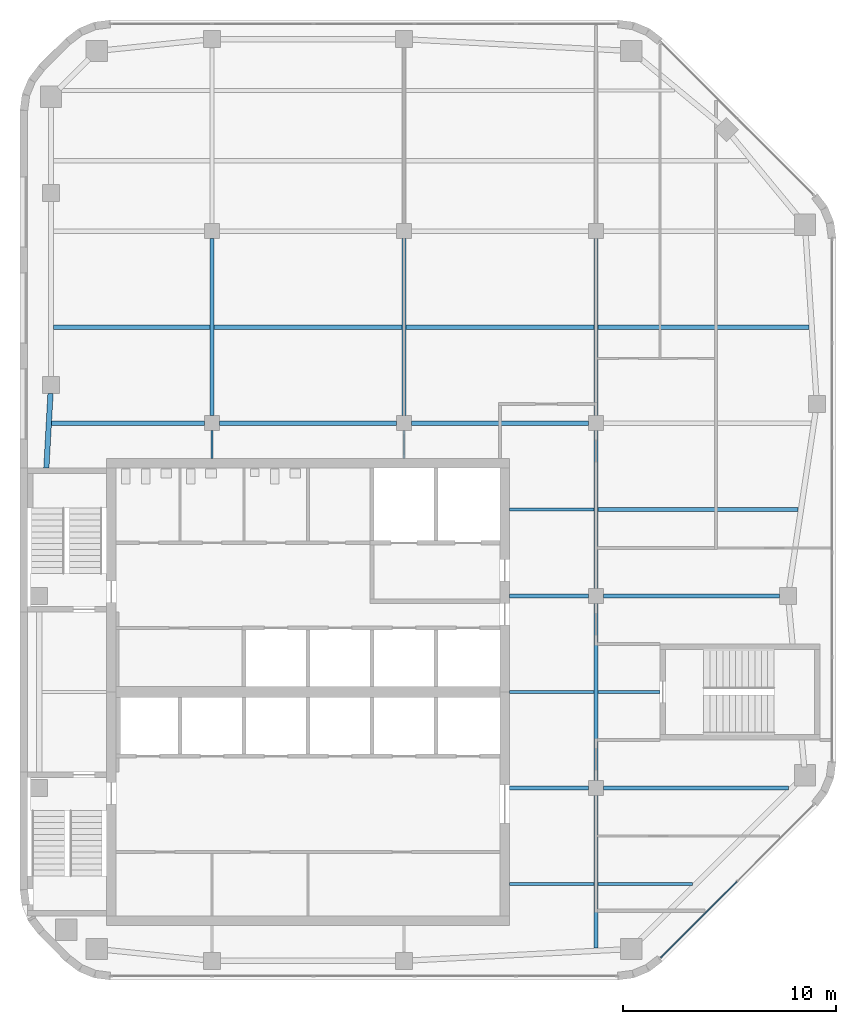
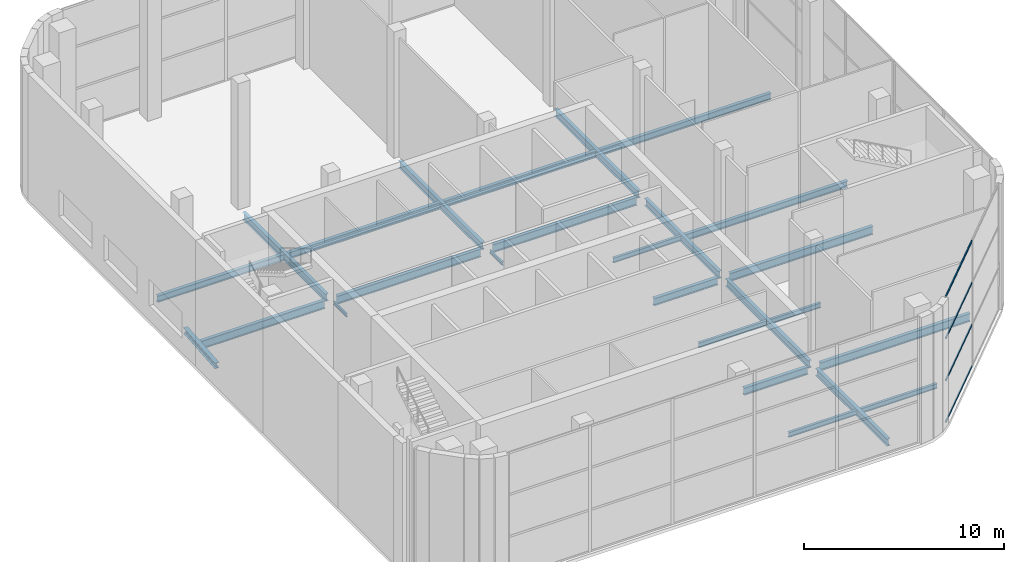
# One storey, part 3 of 12: 26 beams, 4 members, 1 element without a shape of its own.
"""IFC4 building model written with IfcOpenShell, lengths in metres."""

import ifcopenshell
import ifcopenshell.guid

model = None  # the IFC model being written
_history = None  # IfcOwnerHistory: only IFC2X3 demands one
_inside = {}  # id of a spatial element -> (the spatial element, [elements in it])
_under = {}  # id of a project, library or spatial element -> (it, [spatial elements below it])
_declared = {}  # id of a project -> (the project, [libraries it declares])
_typed = {}  # id of a type object -> (the type object, [elements of that type])
_made_of = {}  # id of a material, layer set ... -> (it, [elements and type objects made of it])


def new_model(schema):
    """Start an empty IFC model of exactly this schema.

    Asked for "IFC4X3", IfcOpenShell would pick the latest addendum, in which some entities
    have other attributes; the version numbers below select the first issue.
    IFC2X3 requires an IfcOwnerHistory on every rooted entity: one is made here for all.
    """
    global model, _history
    if schema == "IFC4X3":
        model = ifcopenshell.file(schema_version=(4, 3, 0, 0))
    else:
        model = ifcopenshell.file(schema=schema)
    _inside.clear()
    _under.clear()
    _declared.clear()
    _typed.clear()
    _made_of.clear()
    _history = None
    if model.schema == "IFC2X3":
        org = make("IfcOrganization", Name="unknown")
        user = make(
            "IfcPersonAndOrganization",
            ThePerson=make("IfcPerson", FamilyName="unknown"),
            TheOrganization=org,
        )
        app = make(
            "IfcApplication",
            ApplicationDeveloper=org,
            Version="unknown",
            ApplicationFullName="unknown",
            ApplicationIdentifier="unknown",
        )
        _history = make(
            "IfcOwnerHistory",
            OwningUser=user,
            OwningApplication=app,
            ChangeAction="ADDED",
            CreationDate=0,
        )
    return model


def make(cls, **values):
    """One entity of the class cls with the attributes given. An attribute that is None is left unset."""
    return model.create_entity(
        cls, **{name: value for name, value in values.items() if value is not None}
    )


def rooted(cls, **values):
    """An entity with a GlobalId (a new one), such as an element, a storey or a relation."""
    return make(cls, GlobalId=ifcopenshell.guid.new(), OwnerHistory=_history, **values)


def si_unit(unit_type, name, prefix=None):
    """IfcSIUnit, for example si_unit("LENGTHUNIT", "METRE", prefix="MILLI")."""
    return make("IfcSIUnit", UnitType=unit_type, Prefix=prefix, Name=name)


def assignment(units):
    """IfcUnitAssignment: the units of a project."""
    return None if units is None else make("IfcUnitAssignment", Units=units)


def point(xyz):
    """IfcCartesianPoint."""
    return None if xyz is None else make("IfcCartesianPoint", Coordinates=xyz)


def direction(xyz):
    """IfcDirection."""
    return None if xyz is None else make("IfcDirection", DirectionRatios=xyz)


def frame(location, z_axis=None, x_axis=None):
    """IfcAxis2Placement3D, a coordinate frame: its origin and axes. An axis left out is left unset."""
    return make(
        "IfcAxis2Placement3D",
        Location=point(location),
        Axis=direction(z_axis),
        RefDirection=direction(x_axis),
    )


def frame_2d(location, x_axis=None):
    """IfcAxis2Placement2D, a coordinate frame in the plane: its origin and x axis."""
    return make(
        "IfcAxis2Placement2D", Location=point(location), RefDirection=direction(x_axis)
    )


def origin():
    """The frame at (0, 0, 0) with its axes left unset."""
    return frame((0.0, 0.0, 0.0))


def origin_2d():
    """The frame at (0, 0) in the plane with its x axis left unset."""
    return frame_2d((0.0, 0.0))


def place(relative_to, where):
    """IfcLocalPlacement: puts the frame where relative to a parent placement (None: the world)."""
    return make(
        "IfcLocalPlacement", PlacementRelTo=relative_to, RelativePlacement=where
    )


def context(
    kind, dimensions, precision=None, world=None, true_north=None, identifier=None
):
    """IfcGeometricRepresentationContext, for example the 3D "Model" context."""
    return make(
        "IfcGeometricRepresentationContext",
        ContextIdentifier=identifier,
        ContextType=kind,
        CoordinateSpaceDimension=dimensions,
        Precision=precision,
        WorldCoordinateSystem=world,
        TrueNorth=true_north,
    )


def subcontext(parent, identifier, kind, view, scale=None):
    """IfcGeometricRepresentationSubContext, for example "Body" below "Model"."""
    return make(
        "IfcGeometricRepresentationSubContext",
        ContextIdentifier=identifier,
        ContextType=kind,
        ParentContext=parent,
        TargetScale=scale,
        TargetView=view,
    )


def project(units=None, contexts=None):
    """IfcProject with its units and contexts."""
    return rooted(
        "IfcProject",
        Name="project",
        RepresentationContexts=contexts,
        UnitsInContext=assignment(units),
    )


def spatial(cls, under=None, at=None, **own):
    """A site, building, storey or space (cls), placed at a placement, below another one or the project."""
    s = rooted(cls, ObjectPlacement=at, **own)
    if under is not None:
        _under.setdefault(under.id(), (under, []))[1].append(s)
    return s


def profile(cls, at=None, kind="AREA", **sizes):
    """A parametric profile (cls). Its sizes go by their IFC names, for example OverallWidth=200.0."""
    return make(cls, ProfileType=kind, Position=at, **sizes)


def rectangle(**sizes):
    """IfcRectangleProfileDef."""
    return profile("IfcRectangleProfileDef", **sizes)


def i_section(**sizes):
    """IfcIShapeProfileDef."""
    return profile("IfcIShapeProfileDef", **sizes)


def extrude(swept, where, along, depth):
    """IfcExtrudedAreaSolid: the profile swept, set in the frame where, extruded along a direction by depth."""
    return make(
        "IfcExtrudedAreaSolid",
        SweptArea=swept,
        Position=where,
        ExtrudedDirection=direction(along),
        Depth=depth,
    )


def shape(context_of_items, identifier, shape_type, items):
    """IfcShapeRepresentation: the items that make up one representation, for example the "Body"."""
    return make(
        "IfcShapeRepresentation",
        ContextOfItems=context_of_items,
        RepresentationIdentifier=identifier,
        RepresentationType=shape_type,
        Items=items,
    )


def material(Name=None, Category=None):
    """IfcMaterial."""
    return make("IfcMaterial", Name=Name, Category=Category)


def material_profile(
    of_material, cross_section, Name=None, Category=None, Priority=None
):
    """IfcMaterialProfile: a cross section and its material."""
    return make(
        "IfcMaterialProfile",
        Name=Name,
        Material=of_material,
        Profile=cross_section,
        Priority=Priority,
        Category=Category,
    )


def profile_set(profiles, Name=None, composite=None):
    """IfcMaterialProfileSet."""
    return make(
        "IfcMaterialProfileSet",
        Name=Name,
        MaterialProfiles=profiles,
        CompositeProfile=composite,
    )


def made_of(thing, what):
    """Note that an element or type object is made of a material, layer set ...; save() writes the relation."""
    if what is not None:
        _made_of.setdefault(what.id(), (what, []))[1].append(thing)
    return thing


def type_object(cls, material=None, **own):
    """A type object (cls), such as IfcWallType, which elements share."""
    return made_of(rooted(cls, **own), material)


def element(
    cls,
    number,
    at=None,
    inside=None,
    cuts=None,
    type_object=None,
    material=None,
    context=None,
    identifier="Body",
    shape_type=None,
    held_by="IfcProductDefinitionShape",
    body=None,
    shapes=None,
    **own,
):
    """One element of the class cls, such as IfcWall. Its Tag is "e" and its number.

    at: its placement. inside: the storey or other place that contains it. cuts: it is an
    opening in that element (IfcRelVoidsElement). A single representation is given by context,
    identifier, shape_type and body (its items); several are given by shapes. held_by: the class
    of the entity that holds the representations. save() writes the other relations.
    """
    e = rooted(cls, Tag="e%d" % number, ObjectPlacement=at, **own)
    if body is not None:
        shapes = [shape(context, identifier, shape_type, body)]
    if shapes is not None:
        e.Representation = make(held_by, Representations=shapes)
    if inside is not None:
        _inside.setdefault(inside.id(), (inside, []))[1].append(e)
    if cuts is not None:
        rooted(
            "IfcRelVoidsElement", RelatingBuildingElement=cuts, RelatedOpeningElement=e
        )
    if type_object is not None:
        _typed.setdefault(type_object.id(), (type_object, []))[1].append(e)
    return made_of(e, material)


def aggregate(whole, parts):
    """IfcRelAggregates: a whole, such as a stair, and the parts it consists of."""
    return rooted("IfcRelAggregates", RelatingObject=whole, RelatedObjects=parts)


def save(model, path):
    """Write the relations noted so far, then the file.

    IfcRelAggregates (storeys below a building ...), IfcRelContainedInSpatialStructure (elements
    in a storey), IfcRelDefinesByType, IfcRelAssociatesMaterial and IfcRelDeclares: one each for
    every whole, place, type object, material and project.
    """
    for whole, parts in _under.values():
        aggregate(whole, parts)
    for where, things in _inside.values():
        rooted(
            "IfcRelContainedInSpatialStructure",
            RelatedElements=things,
            RelatingStructure=where,
        )
    for kind, things in _typed.values():
        rooted("IfcRelDefinesByType", RelatedObjects=things, RelatingType=kind)
    for what, things in _made_of.values():
        rooted("IfcRelAssociatesMaterial", RelatedObjects=things, RelatingMaterial=what)
    for by, libraries in _declared.values():
        rooted("IfcRelDeclares", RelatingContext=by, RelatedDefinitions=libraries)
    model.write(path)


model = new_model("IFC4")

# Units and contexts
model_context = context("Model", 3, precision=1e-05, world=origin(), true_north=direction((0.0, 1.0)))
body_context = subcontext(model_context, "Body", "Model", "MODEL_VIEW")
ifc_project = project(units=[si_unit("LENGTHUNIT", "METRE"), si_unit("AREAUNIT", "SQUARE_METRE"), si_unit("VOLUMEUNIT", "CUBIC_METRE"), si_unit("PLANEANGLEUNIT", "RADIAN"), si_unit("MASSUNIT", "GRAM", prefix="KILO")], contexts=[model_context])

# Site, building, storey
site_placement = place(None, origin())
site = spatial("IfcSite", under=ifc_project, at=site_placement, CompositionType="ELEMENT")
building_placement = place(site_placement, origin())
building = spatial("IfcBuilding", under=site, at=building_placement, Name="Cinnabar Reach Civic Tower", CompositionType="ELEMENT")
storey_placement = place(building_placement, frame((0.0, 0.0, 283.0)))
storey = spatial("IfcBuildingStorey", under=building, at=storey_placement, Name="L68", CompositionType="ELEMENT", Elevation=283.0)

# Beams
ifc_material_1 = material(Name="Steel Q355B", Category="steel")
ifc_material_profile_1 = material_profile(ifc_material_1, i_section(OverallWidth=0.25, OverallDepth=0.34, WebThickness=0.009, FlangeThickness=0.014, FilletRadius=0.013, at=origin_2d()), Name="HM340x250x9x14")
ifc_profile_set_1 = profile_set([ifc_material_profile_1], Name="Steel Q355B")
beam_type_1 = type_object("IfcBeamType", Name="HM340x250x9x14 beam R 180", PredefinedType="BEAM", material=ifc_profile_set_1)
beam_1_placement = place(storey_placement, frame((1.4306, 45.4961, -0.37), z_axis=(-0.055778628236, -0.998443160441, 0.0), x_axis=(0.998443160441, -0.055778628236, 0.0)))
element("IfcBeam", 1, at=beam_1_placement, inside=storey, type_object=beam_type_1, Name="Edge beam T1 L68 17", PredefinedType="BEAM", context=body_context, shape_type="SweptSolid", body=[
    extrude(i_section(OverallWidth=0.25, OverallDepth=0.34, WebThickness=0.009, FlangeThickness=0.014, FilletRadius=0.013, at=origin_2d()), origin(), (0.0, 0.0, 1.0), 3.4995),
])
ifc_material_profile_2 = material_profile(ifc_material_1, i_section(OverallWidth=0.099, OverallDepth=0.198, WebThickness=0.0045, FlangeThickness=0.007, FilletRadius=0.013, at=origin_2d()), Name="HN200x100x5.5x8")
ifc_profile_set_2 = profile_set([ifc_material_profile_2], Name="Steel Q355B")
beam_type_2 = type_object("IfcBeamType", Name="HN200x100x5.5x8 beam R 180", PredefinedType="BEAM", material=ifc_profile_set_2)
for number, where, z_axis, x_axis, name in (
    (2, (9.0, 42.452, -0.299), (0.0, 1.0, 0.0), (-1.0, 0.0, 0.0), "Girder T1 L68 2"),
    (3, (18.0, 42.452, -0.299), (0.0, 1.0, 0.0), (-1.0, 0.0, 0.0), "Girder T1 L68 6"),
):
    element("IfcBeam", number, at=place(storey_placement, frame(where, z_axis=z_axis, x_axis=x_axis)), inside=storey, type_object=beam_type_2, Name=name, PredefinedType="BEAM", context=body_context, shape_type="SweptSolid", body=[
        extrude(i_section(OverallWidth=0.099, OverallDepth=0.198, WebThickness=0.0045, FlangeThickness=0.007, FilletRadius=0.013, at=origin_2d()), origin(), (0.0, 0.0, 1.0), 1.296),
    ])
ifc_material_profile_3 = material_profile(ifc_material_1, i_section(OverallWidth=0.15, OverallDepth=0.3, WebThickness=0.0065, FlangeThickness=0.009, FilletRadius=0.013, at=origin_2d()), Name="HN300x150x6.5x9")
ifc_profile_set_3 = profile_set([ifc_material_profile_3], Name="Steel Q355B")
beam_type_3 = type_object("IfcBeamType", Name="HN300x150x6.5x9 beam R 180", PredefinedType="BEAM", material=ifc_profile_set_3)
beam_2_placement = place(storey_placement, frame((22.952, 22.5, -0.35), z_axis=(1.0, 0.0, 0.0), x_axis=(0.0, 1.0, 0.0)))
element("IfcBeam", 4, at=beam_2_placement, inside=storey, type_object=beam_type_3, Name="Secondary beam T1 L68 1", PredefinedType="BEAM", context=body_context, shape_type="SweptSolid", body=[
    extrude(i_section(OverallWidth=0.15, OverallDepth=0.3, WebThickness=0.0065, FlangeThickness=0.009, FilletRadius=0.013, at=origin_2d()), origin(), (0.0, 0.0, 1.0), 3.946),
])
beam_3_placement = place(storey_placement, frame((27.102, 22.5, -0.35), z_axis=(1.0, 0.0, 0.0), x_axis=(0.0, 1.0, 0.0)))
element("IfcBeam", 5, at=beam_3_placement, inside=storey, type_object=beam_type_3, Name="Secondary beam T1 L68 2", PredefinedType="BEAM", context=body_context, shape_type="SweptSolid", body=[
    extrude(i_section(OverallWidth=0.15, OverallDepth=0.3, WebThickness=0.0065, FlangeThickness=0.009, FilletRadius=0.013, at=origin_2d()), origin(), (0.0, 0.0, 1.0), 4.4134),
])
beam_4_placement = place(storey_placement, frame((22.952, 31.5, -0.35), z_axis=(1.0, 0.0, 0.0), x_axis=(0.0, 1.0, 0.0)))
element("IfcBeam", 6, at=beam_4_placement, inside=storey, type_object=beam_type_3, Name="Secondary beam T1 L68 4", PredefinedType="BEAM", context=body_context, shape_type="SweptSolid", body=[
    extrude(i_section(OverallWidth=0.15, OverallDepth=0.3, WebThickness=0.0065, FlangeThickness=0.009, FilletRadius=0.013, at=origin_2d()), origin(), (0.0, 0.0, 1.0), 3.946),
])
beam_5_placement = place(storey_placement, frame((27.102, 31.5, -0.35), z_axis=(1.0, 0.0, 0.0), x_axis=(0.0, 1.0, 0.0)))
element("IfcBeam", 7, at=beam_5_placement, inside=storey, type_object=beam_type_3, Name="Secondary beam T1 L68 5", PredefinedType="BEAM", context=body_context, shape_type="SweptSolid", body=[
    extrude(i_section(OverallWidth=0.15, OverallDepth=0.3, WebThickness=0.0065, FlangeThickness=0.009, FilletRadius=0.013, at=origin_2d()), origin(), (0.0, 0.0, 1.0), 2.896),
])
beam_6_placement = place(storey_placement, frame((22.952, 40.05, -0.35), z_axis=(1.0, 0.0, 0.0), x_axis=(0.0, 1.0, 0.0)))
element("IfcBeam", 8, at=beam_6_placement, inside=storey, type_object=beam_type_3, Name="Secondary beam T1 L68 6", PredefinedType="BEAM", context=body_context, shape_type="SweptSolid", body=[
    extrude(i_section(OverallWidth=0.15, OverallDepth=0.3, WebThickness=0.0065, FlangeThickness=0.009, FilletRadius=0.013, at=origin_2d()), origin(), (0.0, 0.0, 1.0), 3.946),
])
ifc_material_profile_4 = material_profile(ifc_material_1, i_section(OverallWidth=0.2, OverallDepth=0.4, WebThickness=0.008, FlangeThickness=0.013, FilletRadius=0.016, at=origin_2d()), Name="HN400x200x8x13")
ifc_profile_set_4 = profile_set([ifc_material_profile_4], Name="Steel Q355B")
beam_type_4 = type_object("IfcBeamType", Name="HN400x200x8x13 beam R 180", PredefinedType="BEAM", material=ifc_profile_set_4)
beam_7_placement = place(storey_placement, frame((27.102, 40.05, -0.4), z_axis=(1.0, 0.0, 0.0), x_axis=(0.0, 1.0, 0.0)))
element("IfcBeam", 9, at=beam_7_placement, inside=storey, type_object=beam_type_4, Name="Secondary beam T1 L68 7", PredefinedType="BEAM", context=body_context, shape_type="SweptSolid", body=[
    extrude(i_section(OverallWidth=0.2, OverallDepth=0.4, WebThickness=0.008, FlangeThickness=0.013, FilletRadius=0.016, at=origin_2d()), origin(), (0.0, 0.0, 1.0), 9.3771),
])
beam_8_placement = place(storey_placement, frame((1.5801, 48.6, -0.4), z_axis=(1.0, 0.0, 0.0), x_axis=(0.0, 1.0, 0.0)))
element("IfcBeam", 10, at=beam_8_placement, inside=storey, type_object=beam_type_4, Name="Secondary beam T1 L68 8", PredefinedType="BEAM", context=body_context, shape_type="SweptSolid", body=[
    extrude(i_section(OverallWidth=0.2, OverallDepth=0.4, WebThickness=0.008, FlangeThickness=0.013, FilletRadius=0.016, at=origin_2d()), origin(), (0.0, 0.0, 1.0), 7.3179),
])
for number, where, z_axis, x_axis, name in (
    (11, (9.102, 48.6, -0.4), (1.0, 0.0, 0.0), (0.0, 1.0, 0.0), "Secondary beam T1 L68 9"),
    (12, (18.102, 48.6, -0.4), (1.0, 0.0, 0.0), (0.0, 1.0, 0.0), "Secondary beam T1 L68 10"),
):
    element("IfcBeam", number, at=place(storey_placement, frame(where, z_axis=z_axis, x_axis=x_axis)), inside=storey, type_object=beam_type_4, Name=name, PredefinedType="BEAM", context=body_context, shape_type="SweptSolid", body=[
        extrude(i_section(OverallWidth=0.2, OverallDepth=0.4, WebThickness=0.008, FlangeThickness=0.013, FilletRadius=0.016, at=origin_2d()), origin(), (0.0, 0.0, 1.0), 8.796),
    ])
beam_9_placement = place(storey_placement, frame((27.102, 48.6, -0.4), z_axis=(1.0, 0.0, 0.0), x_axis=(0.0, 1.0, 0.0)))
element("IfcBeam", 13, at=beam_9_placement, inside=storey, type_object=beam_type_4, Name="Secondary beam T1 L68 11", PredefinedType="BEAM", context=body_context, shape_type="SweptSolid", body=[
    extrude(i_section(OverallWidth=0.2, OverallDepth=0.4, WebThickness=0.008, FlangeThickness=0.013, FilletRadius=0.016, at=origin_2d()), origin(), (0.0, 0.0, 1.0), 9.8836),
])
ifc_material_profile_5 = material_profile(ifc_material_1, i_section(OverallWidth=0.2, OverallDepth=0.45, WebThickness=0.009, FlangeThickness=0.014, FilletRadius=0.016, at=origin_2d()), Name="HN450x200x9x14")
ifc_profile_set_5 = profile_set([ifc_material_profile_5], Name="Steel Q355B")
beam_type_5 = type_object("IfcBeamType", Name="HN450x200x9x14 beam R 180", PredefinedType="BEAM", material=ifc_profile_set_5)
for number, where, z_axis, x_axis, name in (
    (14, (22.952, 27.0, -0.425), (1.0, 0.0, 0.0), (0.0, 1.0, 0.0), "Girder T1 L68 1"),
    (15, (22.952, 36.0, -0.425), (1.0, 0.0, 0.0), (0.0, 1.0, 0.0), "Girder T1 L68 3"),
):
    element("IfcBeam", number, at=place(storey_placement, frame(where, z_axis=z_axis, x_axis=x_axis)), inside=storey, type_object=beam_type_5, Name=name, PredefinedType="BEAM", context=body_context, shape_type="SweptSolid", body=[
        extrude(i_section(OverallWidth=0.2, OverallDepth=0.45, WebThickness=0.009, FlangeThickness=0.014, FilletRadius=0.016, at=origin_2d()), origin(), (0.0, 0.0, 1.0), 3.696),
    ])
for number, where, z_axis, x_axis, name in (
    (16, (9.0, 44.452, -0.425), (0.0, 1.0, 0.0), (-1.0, 0.0, 0.0), "Girder T1 L68 3"),
    (17, (18.0, 44.452, -0.425), (0.0, 1.0, 0.0), (-1.0, 0.0, 0.0), "Girder T1 L68 7"),
):
    element("IfcBeam", number, at=place(storey_placement, frame(where, z_axis=z_axis, x_axis=x_axis)), inside=storey, type_object=beam_type_5, Name=name, PredefinedType="BEAM", context=body_context, shape_type="SweptSolid", body=[
        extrude(i_section(OverallWidth=0.2, OverallDepth=0.45, WebThickness=0.009, FlangeThickness=0.014, FilletRadius=0.016, at=origin_2d()), origin(), (0.0, 0.0, 1.0), 8.296),
    ])
beam_10_placement = place(storey_placement, frame((27.0, 19.4947, -0.425), z_axis=(0.0, 1.0, 0.0), x_axis=(-1.0, 0.0, 0.0)))
element("IfcBeam", 18, at=beam_10_placement, inside=storey, type_object=beam_type_5, Name="Girder T1 L68 9", PredefinedType="BEAM", context=body_context, shape_type="SweptSolid", body=[
    extrude(i_section(OverallWidth=0.2, OverallDepth=0.45, WebThickness=0.009, FlangeThickness=0.014, FilletRadius=0.016, at=origin_2d()), origin(), (0.0, 0.0, 1.0), 7.1533),
])
beam_11_placement = place(storey_placement, frame((27.0, 27.352, -0.425), z_axis=(0.0, 1.0, 0.0), x_axis=(-1.0, 0.0, 0.0)))
element("IfcBeam", 19, at=beam_11_placement, inside=storey, type_object=beam_type_5, Name="Girder T1 L68 10", PredefinedType="BEAM", context=body_context, shape_type="SweptSolid", body=[
    extrude(i_section(OverallWidth=0.2, OverallDepth=0.45, WebThickness=0.009, FlangeThickness=0.014, FilletRadius=0.016, at=origin_2d()), origin(), (0.0, 0.0, 1.0), 8.296),
])
beam_12_placement = place(storey_placement, frame((27.0, 36.352, -0.425), z_axis=(0.0, 1.0, 0.0), x_axis=(-1.0, 0.0, 0.0)))
element("IfcBeam", 20, at=beam_12_placement, inside=storey, type_object=beam_type_5, Name="Girder T1 L68 11", PredefinedType="BEAM", context=body_context, shape_type="SweptSolid", body=[
    extrude(i_section(OverallWidth=0.2, OverallDepth=0.45, WebThickness=0.009, FlangeThickness=0.014, FilletRadius=0.016, at=origin_2d()), origin(), (0.0, 0.0, 1.0), 7.396),
])
beam_13_placement = place(storey_placement, frame((27.0, 44.452, -0.425), z_axis=(0.0, 1.0, 0.0), x_axis=(-1.0, 0.0, 0.0)))
element("IfcBeam", 21, at=beam_13_placement, inside=storey, type_object=beam_type_5, Name="Girder T1 L68 12", PredefinedType="BEAM", context=body_context, shape_type="SweptSolid", body=[
    extrude(i_section(OverallWidth=0.2, OverallDepth=0.45, WebThickness=0.009, FlangeThickness=0.014, FilletRadius=0.016, at=origin_2d()), origin(), (0.0, 0.0, 1.0), 8.296),
])
ifc_material_profile_6 = material_profile(ifc_material_1, i_section(OverallWidth=0.2, OverallDepth=0.5, WebThickness=0.01, FlangeThickness=0.016, FilletRadius=0.016, at=origin_2d()), Name="HN500x200x10x16")
ifc_profile_set_6 = profile_set([ifc_material_profile_6], Name="Steel Q355B")
beam_type_6 = type_object("IfcBeamType", Name="HN500x200x10x16 beam R 180", PredefinedType="BEAM", material=ifc_profile_set_6)
beam_14_placement = place(storey_placement, frame((27.352, 27.0, -0.45), z_axis=(1.0, 0.0, 0.0), x_axis=(0.0, 1.0, 0.0)))
element("IfcBeam", 22, at=beam_14_placement, inside=storey, type_object=beam_type_6, Name="Girder T1 L68 2", PredefinedType="BEAM", context=body_context, shape_type="SweptSolid", body=[
    extrude(i_section(OverallWidth=0.2, OverallDepth=0.5, WebThickness=0.01, FlangeThickness=0.016, FilletRadius=0.016, at=origin_2d()), origin(), (0.0, 0.0, 1.0), 8.6634),
])
beam_15_placement = place(storey_placement, frame((27.352, 36.0, -0.45), z_axis=(1.0, 0.0, 0.0), x_axis=(0.0, 1.0, 0.0)))
element("IfcBeam", 23, at=beam_15_placement, inside=storey, type_object=beam_type_6, Name="Girder T1 L68 4", PredefinedType="BEAM", context=body_context, shape_type="SweptSolid", body=[
    extrude(i_section(OverallWidth=0.2, OverallDepth=0.5, WebThickness=0.01, FlangeThickness=0.016, FilletRadius=0.016, at=origin_2d()), origin(), (0.0, 0.0, 1.0), 8.246),
])
beam_16_placement = place(storey_placement, frame((1.4798, 44.1, -0.45), z_axis=(1.0, 0.0, 0.0), x_axis=(0.0, 1.0, 0.0)))
element("IfcBeam", 24, at=beam_16_placement, inside=storey, type_object=beam_type_6, Name="Girder T1 L68 5", PredefinedType="BEAM", context=body_context, shape_type="SweptSolid", body=[
    extrude(i_section(OverallWidth=0.2, OverallDepth=0.5, WebThickness=0.01, FlangeThickness=0.016, FilletRadius=0.016, at=origin_2d()), origin(), (0.0, 0.0, 1.0), 7.1682),
])
for number, where, z_axis, x_axis, name in (
    (25, (9.352, 44.1, -0.45), (1.0, 0.0, 0.0), (0.0, 1.0, 0.0), "Girder T1 L68 6"),
    (26, (18.352, 44.1, -0.45), (1.0, 0.0, 0.0), (0.0, 1.0, 0.0), "Girder T1 L68 7"),
):
    element("IfcBeam", number, at=place(storey_placement, frame(where, z_axis=z_axis, x_axis=x_axis)), inside=storey, type_object=beam_type_6, Name=name, PredefinedType="BEAM", context=body_context, shape_type="SweptSolid", body=[
        extrude(i_section(OverallWidth=0.2, OverallDepth=0.5, WebThickness=0.01, FlangeThickness=0.016, FilletRadius=0.016, at=origin_2d()), origin(), (0.0, 0.0, 1.0), 8.296),
    ])

# Curtain wall, members
ifc_material_2 = material(Name="Aluminium and clear double glazing", Category="aluminium")
curtain_wall_type = type_object("IfcCurtainWallType", Name="Observation deck curtain wall", PredefinedType="NOTDEFINED", material=ifc_material_2)
curtain_wall_placement = place(storey_placement, origin())
curtain_wall = element("IfcCurtainWall", 27, at=curtain_wall_placement, inside=storey, type_object=curtain_wall_type, Name="Observation deck 2", PredefinedType="NOTDEFINED")
ifc_material_3 = material(Name="Aluminium", Category="aluminium")
ifc_material_profile_7 = material_profile(ifc_material_3, rectangle(XDim=0.06, YDim=0.12, at=origin_2d()), Name="Observation deck transom")
ifc_profile_set_7 = profile_set([ifc_material_profile_7], Name="Aluminium")
member_type = type_object("IfcMemberType", Name="Observation deck transom", PredefinedType="USERDEFINED", material=ifc_profile_set_7)
member_1_placement = place(storey_placement, frame((30.0438, 19.0484, 0.03), z_axis=(0.707106781187, 0.707106781187, 0.0), x_axis=(-0.707106781187, 0.707106781187, 0.0)))
member_1 = element("IfcMember", 28, at=member_1_placement, type_object=member_type, Name="CW-T1OBS-2 transom 1.1", ObjectType="TRANSOM", PredefinedType="USERDEFINED", context=body_context, shape_type="SweptSolid", body=[
    extrude(rectangle(XDim=0.06, YDim=0.12, at=origin_2d()), origin(), (0.0, 0.0, 1.0), 5.0313),
])
member_2_placement = place(storey_placement, frame((30.0438, 19.0484, 2.5667), z_axis=(0.707106781187, 0.707106781187, 0.0), x_axis=(-0.707106781187, 0.707106781187, 0.0)))
member_2 = element("IfcMember", 29, at=member_2_placement, type_object=member_type, Name="CW-T1OBS-2 transom 1.2", ObjectType="TRANSOM", PredefinedType="USERDEFINED", context=body_context, shape_type="SweptSolid", body=[
    extrude(rectangle(XDim=0.06, YDim=0.12, at=origin_2d()), origin(), (0.0, 0.0, 1.0), 5.0313),
])
member_3_placement = place(storey_placement, frame((30.0438, 19.0484, 5.1333), z_axis=(0.707106781187, 0.707106781187, 0.0), x_axis=(-0.707106781187, 0.707106781187, 0.0)))
member_3 = element("IfcMember", 30, at=member_3_placement, type_object=member_type, Name="CW-T1OBS-2 transom 1.3", ObjectType="TRANSOM", PredefinedType="USERDEFINED", context=body_context, shape_type="SweptSolid", body=[
    extrude(rectangle(XDim=0.06, YDim=0.12, at=origin_2d()), origin(), (0.0, 0.0, 1.0), 5.0313),
])
member_4_placement = place(storey_placement, frame((30.0438, 19.0484, 7.67), z_axis=(0.707106781187, 0.707106781187, 0.0), x_axis=(-0.707106781187, 0.707106781187, 0.0)))
member_4 = element("IfcMember", 31, at=member_4_placement, type_object=member_type, Name="CW-T1OBS-2 transom 1.4", ObjectType="TRANSOM", PredefinedType="USERDEFINED", context=body_context, shape_type="SweptSolid", body=[
    extrude(rectangle(XDim=0.06, YDim=0.12, at=origin_2d()), origin(), (0.0, 0.0, 1.0), 5.0313),
])
aggregate(curtain_wall, [member_1, member_2, member_3, member_4])

save(model, "model.ifc")
